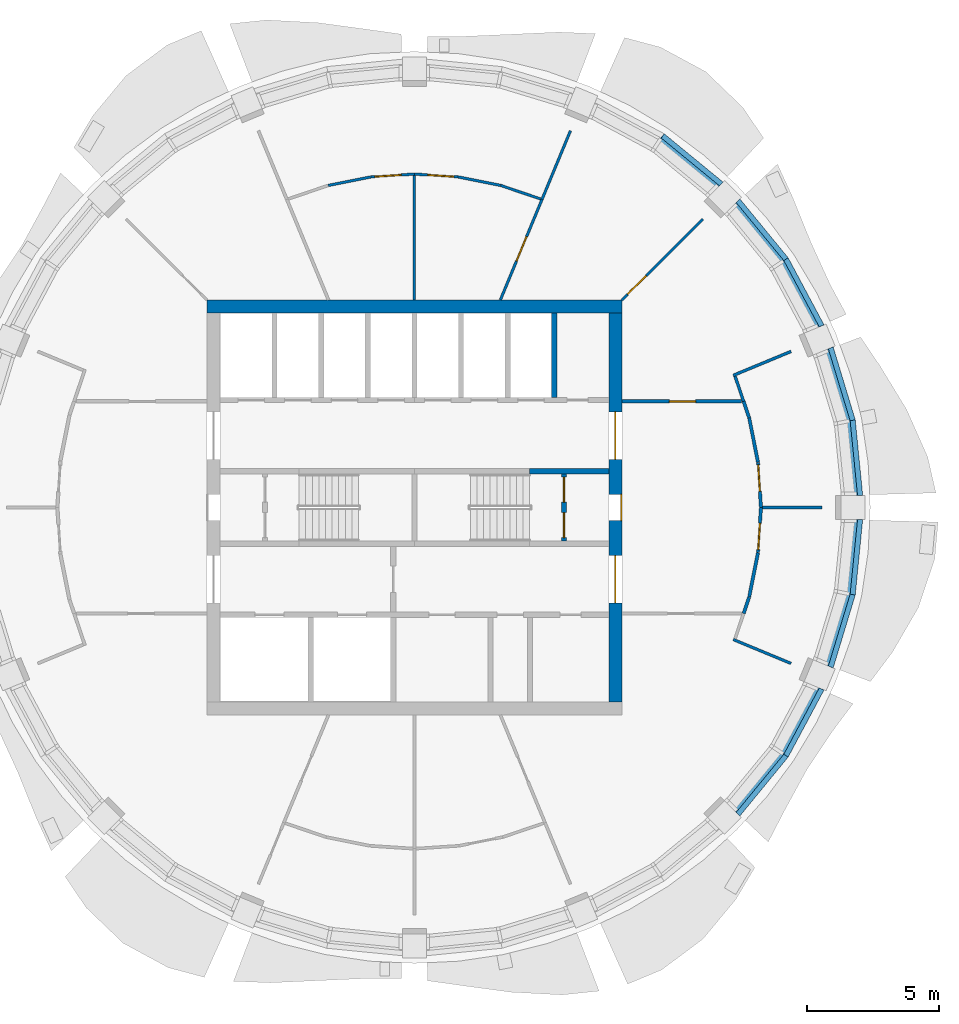
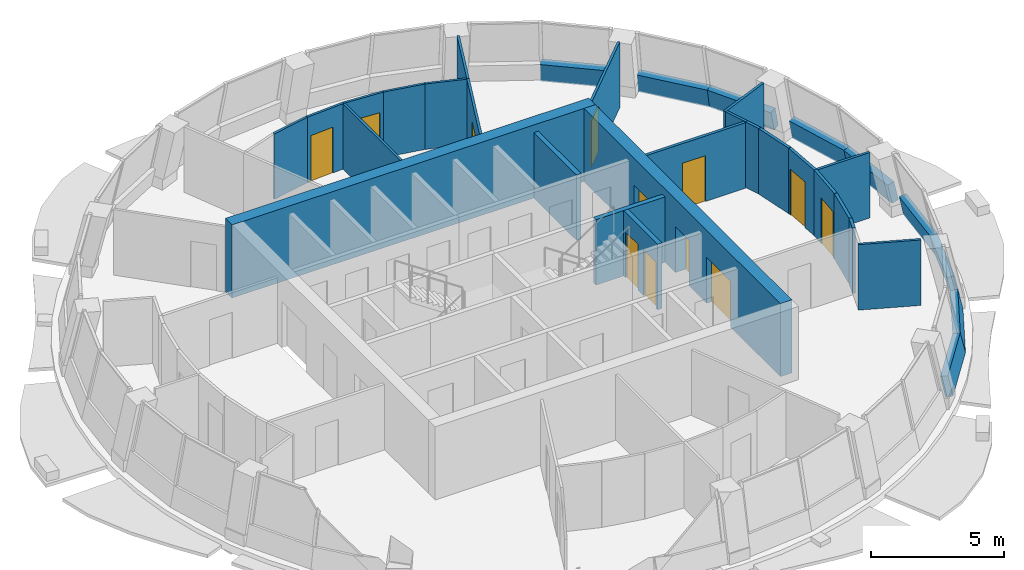
# One storey, part 6 of 11: 34 walls, 12 doors, 12 openings.
"""IFC4 building model written with IfcOpenShell, lengths in metres."""

from ifc_helpers import new_model, si_unit, direction, frame, frame_2d, origin, place, context, subcontext, project, spatial, polyline, rectangle, outline, extrude, material, layer, layer_set, type_object, element, fill, save


model = new_model("IFC4")

# Units and contexts
model_context = context("Model", 3, precision=1e-05, world=origin(), true_north=direction((0.0, 1.0)))
body_context = subcontext(model_context, "Body", "Model", "MODEL_VIEW")
ifc_project = project(units=[si_unit("LENGTHUNIT", "METRE"), si_unit("AREAUNIT", "SQUARE_METRE"), si_unit("VOLUMEUNIT", "CUBIC_METRE"), si_unit("PLANEANGLEUNIT", "RADIAN"), si_unit("MASSUNIT", "GRAM", prefix="KILO")], contexts=[model_context])

# Site, building, storey
site_placement = place(None, origin())
site = spatial("IfcSite", under=ifc_project, at=site_placement, CompositionType="ELEMENT")
building_placement = place(site_placement, origin())
building = spatial("IfcBuilding", under=site, at=building_placement, Name="Polderwave Tower", CompositionType="ELEMENT")
storey_placement = place(building_placement, frame((0.0, 0.0, 204.39990234375)))
storey = spatial("IfcBuildingStorey", under=building, at=storey_placement, Name="L55", CompositionType="ELEMENT", Elevation=204.39990234375)

# Wall
ifc_material_1 = material(Name="Concrete C60/75", Category="concrete")
ifc_layer_1 = layer(ifc_material_1, 0.5)
ifc_layer_set_1 = layer_set([ifc_layer_1], Name="CORE WALL 500 C60/75")
wall_type_1 = type_object("IfcWallType", Name="CORE WALL 500 C60/75", PredefinedType="SHEAR", material=ifc_layer_set_1)
wall_1_placement = place(storey_placement, frame((-7.8740234375, 7.6240234375, 0.0), z_axis=(0.0, 0.0, 1.0), x_axis=(1.0, 0.0, 0.0)))
element("IfcWall", 1, at=wall_1_placement, inside=storey, type_object=wall_type_1, Name="ST-CORE-L55-N", PredefinedType="SHEAR", context=body_context, shape_type="SweptSolid", body=[
    extrude(rectangle(XDim=15.748046875, YDim=0.5, at=frame_2d((7.8740234375, 0.0))), origin(), (0.0, 0.0, 1.0), 3.35009765625),
])

# Wall, openings, doors
wall_2_placement = place(storey_placement, frame((7.6240234375, -7.3740234375, 0.0), z_axis=(0.0, 0.0, 1.0), x_axis=(0.0, 1.0, 0.0)))
wall_2 = element("IfcWall", 2, at=wall_2_placement, inside=storey, type_object=wall_type_1, Name="ST-CORE-L55-E", PredefinedType="SHEAR", context=body_context, shape_type="SweptSolid", body=[
    extrude(rectangle(XDim=14.748046875, YDim=0.5, at=frame_2d((7.3740234375, 0.0))), origin(), (0.0, 0.0, 1.0), 3.35009765625),
])
opening_1_placement = place(wall_2_placement, frame((6.8740234375, 0.0, 0.0)))
opening_1 = element("IfcOpeningElement", 3, at=opening_1_placement, cuts=wall_2, Name="Opening L55-D22", PredefinedType="OPENING", context=body_context, shape_type="SweptSolid", body=[
    extrude(rectangle(XDim=1.0, YDim=2.10009765625, at=frame_2d((0.5, 1.050048828125))), frame((0.0, 0.260009765625, 0.0), z_axis=(0.0, -1.0, 0.0), x_axis=(1.0, 0.0, 0.0)), (0.0, 0.0, 1.0), 0.52001953125),
])
opening_2_placement = place(wall_2_placement, frame((3.74951171875, 0.0, 0.0)))
opening_2 = element("IfcOpeningElement", 4, at=opening_2_placement, cuts=wall_2, Name="Opening L55-D23", PredefinedType="OPENING", context=body_context, shape_type="SweptSolid", body=[
    extrude(rectangle(XDim=1.800048828125, YDim=2.10009765625, at=frame_2d((0.89990234375, 1.050048828125))), frame((0.0, 0.260009765625, 0.0), z_axis=(0.0, -1.0, 0.0), x_axis=(1.0, 0.0, 0.0)), (0.0, 0.0, 1.0), 0.52001953125),
])
opening_3_placement = place(wall_2_placement, frame((9.198486328125, 0.0, 0.0)))
opening_3 = element("IfcOpeningElement", 5, at=opening_3_placement, cuts=wall_2, Name="Opening L55-D24", PredefinedType="OPENING", context=body_context, shape_type="SweptSolid", body=[
    extrude(rectangle(XDim=1.800048828125, YDim=2.10009765625, at=frame_2d((0.89990234375, 1.050048828125))), frame((0.0, 0.260009765625, 0.0), z_axis=(0.0, -1.0, 0.0), x_axis=(1.0, 0.0, 0.0)), (0.0, 0.0, 1.0), 0.52001953125),
])
ifc_material_2 = material(Name="Steel fire door", Category="steel")
door_type_1 = type_object("IfcDoorType", Name="Lobby entry door pair 1800", OperationType="DOUBLE_DOOR_SINGLE_SWING", PredefinedType="DOOR", material=ifc_material_2)
door_1_placement = place(opening_2_placement, frame((1.800048828125, 0.0, 0.0), z_axis=(0.0, 0.0, 1.0), x_axis=(-1.0, 0.0, 0.0)))
door_1 = element("IfcDoor", 6, at=door_1_placement, inside=storey, type_object=door_type_1, Name="South lobby entry door", OperationType="DOUBLE_DOOR_SINGLE_SWING", OverallHeight=2.10009765625, OverallWidth=1.800048828125, PredefinedType="DOOR", context=body_context, shape_type="SweptSolid", body=[
    extrude(rectangle(XDim=1.800048828125, YDim=2.10009765625, at=frame_2d((0.89990234375, 1.050048828125))), frame((0.0, 0.02490234375, 0.0), z_axis=(0.0, -1.0, 0.0), x_axis=(1.0, 0.0, 0.0)), (0.0, 0.0, 1.0), 0.050048828125),
])
fill(opening_2, door_1)
door_2_placement = place(opening_3_placement, frame((1.800048828125, 0.0, 0.0), z_axis=(0.0, 0.0, 1.0), x_axis=(-1.0, 0.0, 0.0)))
door_2 = element("IfcDoor", 7, at=door_2_placement, inside=storey, type_object=door_type_1, Name="North lobby entry door", OperationType="DOUBLE_DOOR_SINGLE_SWING", OverallHeight=2.10009765625, OverallWidth=1.800048828125, PredefinedType="DOOR", context=body_context, shape_type="SweptSolid", body=[
    extrude(rectangle(XDim=1.800048828125, YDim=2.10009765625, at=frame_2d((0.89990234375, 1.050048828125))), frame((0.0, 0.02490234375, 0.0), z_axis=(0.0, -1.0, 0.0), x_axis=(1.0, 0.0, 0.0)), (0.0, 0.0, 1.0), 0.050048828125),
])
fill(opening_3, door_2)
door_type_2 = type_object("IfcDoorType", Name="Stair door 1000", OperationType="NOTDEFINED", PredefinedType="DOOR", material=ifc_material_2)
door_3_placement = place(opening_1_placement, frame((1.0, 0.0, 0.0), z_axis=(0.0, 0.0, 1.0), x_axis=(-1.0, 0.0, 0.0)))
door_3 = element("IfcDoor", 8, at=door_3_placement, inside=storey, type_object=door_type_2, Name="Stair B entry door", OperationType="SINGLE_SWING_LEFT", OverallHeight=2.10009765625, OverallWidth=1.0, PredefinedType="DOOR", context=body_context, shape_type="SweptSolid", body=[
    extrude(rectangle(XDim=1.0, YDim=2.10009765625, at=frame_2d((0.5, 1.050048828125))), frame((0.0, 0.25, 0.0), z_axis=(0.0, -1.0, 0.0), x_axis=(1.0, 0.0, 0.0)), (0.0, 0.0, 1.0), 0.050048828125),
])
fill(opening_1, door_3)

# Walls
ifc_material_3 = material(Name="Concrete C50/60 (board-marked)", Category="concrete")
ifc_layer_2 = layer(ifc_material_3, 0.300048828125)
ifc_layer_set_2 = layer_set([ifc_layer_2], Name="Concrete spandrel upstand C50/60")
wall_type_2 = type_object("IfcWallType", Name="Concrete spandrel upstand C50/60", PredefinedType="SOLIDWALL", material=ifc_layer_set_2)
wall_3_placement = place(storey_placement, frame((17.010986328125, 0.45263671875, 0.0), z_axis=(0.97248307566, 0.096030261393, 0.212261292872), x_axis=(-0.098270470922, 0.99515974322, 4.332109e-06)))
element("IfcWall", 9, at=wall_3_placement, inside=storey, type_object=wall_type_2, Name="Spandrel L55 1a", PredefinedType="SOLIDWALL", context=body_context, shape_type="SweptSolid", body=[
    extrude(outline(polyline([(0.0, 0.0), (2.8887437827391578, -6.938893903907228e-18), (2.86953267296287, 0.9211237490571841), (0.019317309955234726, 0.9211491905893285), (0.0, 0.0)])), origin(), (0.0, 0.0, -1.0), 0.300048828125),
])
wall_4_placement = place(storey_placement, frame((16.72705078125, 3.327392578125, 0.0), z_axis=(0.935242697182, 0.28337916088, 0.212172921331), x_axis=(-0.289981848011, 0.957032145656, 2.070465e-06)))
element("IfcWall", 10, at=wall_4_placement, inside=storey, type_object=wall_type_2, Name="Spandrel L55 1b", PredefinedType="SOLIDWALL", context=body_context, shape_type="SweptSolid", body=[
    extrude(outline(polyline([(0.0, 0.0), (2.888526051219243, 0.0), (2.869165271437796, 0.9211123016820382), (0.019177066654742992, 0.9211244598923397), (0.0, 0.0)])), origin(), (0.0, 0.0, -1.0), 0.300048828125),
])
wall_5_placement = place(storey_placement, frame((15.542236328125, 6.927734375, 0.0), z_axis=(0.86194406833, 0.460490666642, 0.212133846912), x_axis=(-0.471214057348, 0.88201888422, -6.139239e-06)))
element("IfcWall", 11, at=wall_5_placement, inside=storey, type_object=wall_type_2, Name="Spandrel L55 2a", PredefinedType="SOLIDWALL", context=body_context, shape_type="SweptSolid", body=[
    extrude(outline(polyline([(0.0, 0.0), (2.8886150989820782, 0.0), (2.8693175227477177, 0.9211284105833573), (0.019362698188122602, 0.9210923596317686), (0.0, 0.0)])), origin(), (0.0, 0.0, -1.0), 0.300048828125),
])
wall_6_placement = place(storey_placement, frame((14.18115234375, 9.4755859375, 0.0), z_axis=(0.755401474704, 0.619877353438, 0.212416286358), x_axis=(-0.634353847381, 0.77304281661, 4.54494e-07)))
element("IfcWall", 12, at=wall_6_placement, inside=storey, type_object=wall_type_2, Name="Spandrel L55 2b", PredefinedType="SOLIDWALL", context=body_context, shape_type="SweptSolid", body=[
    extrude(outline(polyline([(0.0, 0.0), (2.888789702630808, 5.551115123125783e-17), (2.86933526156926, 0.9211668830901925), (0.0194015171973738, 0.9211695522174551), (0.0, 0.0)])), origin(), (0.0, 0.0, -1.0), 0.300048828125),
])
for number, where, z_axis, x_axis, name in (
    (13, (11.708740234375, 12.3486328125, 0.0), (0.619877353438, 0.755401474704, 0.212416286358), (-0.77304281661, 0.634353847381, -4.54494e-07), "Spandrel L55 3a"),
    (14, (12.3486328125, -11.708740234375, 0.0), (0.755401474704, -0.619877353438, 0.212416286358), (0.634353847381, 0.77304281661, -4.54494e-07), "Spandrel L55 15a"),
):
    element("IfcWall", number, at=place(storey_placement, frame(where, z_axis=z_axis, x_axis=x_axis)), inside=storey, type_object=wall_type_2, Name=name, PredefinedType="SOLIDWALL", context=body_context, shape_type="SweptSolid", body=[
        extrude(outline(polyline([(0.0, 0.0), (2.888789702630808, -5.551115123125783e-17), (2.869388185433434, 0.921169552217455), (0.01945444106154769, 0.9211668830901925), (0.0, 0.0)])), origin(), (0.0, 0.0, -1.0), 0.300048828125),
    ])
wall_7_placement = place(storey_placement, frame((14.18115234375, -9.4755859375, 0.0), z_axis=(0.861898085138, -0.460433644275, 0.212444228104), x_axis=(0.471189380725, 0.882032067156, 6.6202e-08)))
element("IfcWall", 15, at=wall_7_placement, inside=storey, type_object=wall_type_2, Name="Spandrel L55 15b", PredefinedType="SOLIDWALL", context=body_context, shape_type="SweptSolid", body=[
    extrude(outline(polyline([(0.0, 0.0), (2.888615100191614, 5.551115123125783e-17), (2.869352703083372, 0.9209239056599307), (0.019182542241019847, 0.9211741382130918), (0.0, 0.0)])), origin(), (0.0, 0.0, -1.0), 0.300048828125),
])
wall_8_placement = place(storey_placement, frame((15.889404296875, -6.091796875, 0.0), z_axis=(0.935152492223, -0.28338395091, 0.212563761391), x_axis=(0.29001059817, 0.957023433845, 4.460531e-06)))
element("IfcWall", 16, at=wall_8_placement, inside=storey, type_object=wall_type_2, Name="Spandrel L55 16a", PredefinedType="SOLIDWALL", context=body_context, shape_type="SweptSolid", body=[
    extrude(outline(polyline([(0.0, 0.0), (2.8885260507207984, 0.0), (2.869278186481872, 0.9209355015571417), (0.019219181632370762, 0.9212115477480832), (0.0, 0.0)])), origin(), (0.0, 0.0, -1.0), 0.300048828125),
])
wall_9_placement = place(storey_placement, frame((16.72705078125, -3.327392578125, 0.0), z_axis=(0.972506225061, -0.09607411987, 0.212135347619), x_axis=(0.098310703755, 0.995155769469, 4.446659e-06)))
element("IfcWall", 17, at=wall_9_placement, inside=storey, type_object=wall_type_2, Name="Spandrel L55 16b", PredefinedType="SOLIDWALL", context=body_context, shape_type="SweptSolid", body=[
    extrude(outline(polyline([(0.0, 0.0), (2.888743782706167, 6.938893903907228e-18), (2.8694504694765173, 0.9210976353176993), (0.019211109710525674, 0.9211237489550932), (0.0, 0.0)])), origin(), (0.0, 0.0, -1.0), 0.300048828125),
])

# Wall, openings, doors
ifc_material_4 = material(Name="Gypsum board partition")
ifc_layer_3 = layer(ifc_material_4, 0.199951171875)
ifc_layer_set_3 = layer_set([ifc_layer_3], Name="Core room partition 200")
wall_type_3 = type_object("IfcWallType", Name="Core room partition 200", PredefinedType="PARTITIONING", material=ifc_layer_set_3)
wall_10_placement = place(storey_placement, frame((5.674072265625, -1.27490234375, 0.0), z_axis=(0.0, 0.0, 1.0), x_axis=(0.0, 1.0, 0.0)))
wall_10 = element("IfcWall", 18, at=wall_10_placement, inside=storey, type_object=wall_type_3, Name="L55 smoke lobby wall B", PredefinedType="PARTITIONING", context=body_context, shape_type="SweptSolid", body=[
    extrude(rectangle(XDim=2.5498046875, YDim=0.199951171875, at=frame_2d((1.27490234375, 0.0))), origin(), (0.0, 0.0, 1.0), 3.0),
])
opening_4_placement = place(wall_10_placement, frame((0.125, 0.0, 0.0)))
opening_4 = element("IfcOpeningElement", 19, at=opening_4_placement, cuts=wall_10, Name="Opening L55-D12", PredefinedType="OPENING", context=body_context, shape_type="SweptSolid", body=[
    extrude(rectangle(XDim=0.949951171875, YDim=2.10009765625, at=frame_2d((0.47509765625, 1.050048828125))), frame((0.0, 0.10986328125, 0.0), z_axis=(0.0, -1.0, 0.0), x_axis=(1.0, 0.0, 0.0)), (0.0, 0.0, 1.0), 0.219970703125),
])
opening_5_placement = place(wall_10_placement, frame((1.47509765625, 0.0, 0.0)))
opening_5 = element("IfcOpeningElement", 20, at=opening_5_placement, cuts=wall_10, Name="Opening L55-D13", PredefinedType="OPENING", context=body_context, shape_type="SweptSolid", body=[
    extrude(rectangle(XDim=0.949951171875, YDim=2.10009765625, at=frame_2d((0.47509765625, 1.050048828125))), frame((0.0, 0.10986328125, 0.0), z_axis=(0.0, -1.0, 0.0), x_axis=(1.0, 0.0, 0.0)), (0.0, 0.0, 1.0), 0.219970703125),
])
door_type_3 = type_object("IfcDoorType", Name="Smoke lobby door 950", OperationType="NOTDEFINED", PredefinedType="DOOR", material=ifc_material_2)
door_4_placement = place(opening_4_placement, frame((0.949951171875, 0.0, 0.0), z_axis=(0.0, 0.0, 1.0), x_axis=(-1.0, 0.0, 0.0)))
door_4 = element("IfcDoor", 21, at=door_4_placement, inside=storey, type_object=door_type_3, Name="Stair B smoke lobby inner door", OperationType="SINGLE_SWING_RIGHT", OverallHeight=2.10009765625, OverallWidth=0.949951171875, PredefinedType="DOOR", context=body_context, shape_type="SweptSolid", body=[
    extrude(rectangle(XDim=0.949951171875, YDim=2.10009765625, at=frame_2d((0.47509765625, 1.050048828125))), frame((0.0, 0.02490234375, 0.0), z_axis=(0.0, -1.0, 0.0), x_axis=(1.0, 0.0, 0.0)), (0.0, 0.0, 1.0), 0.050048828125),
])
fill(opening_4, door_4)
door_5_placement = place(opening_5_placement, frame((0.949951171875, 0.0, 0.0), z_axis=(0.0, 0.0, 1.0), x_axis=(-1.0, 0.0, 0.0)))
door_5 = element("IfcDoor", 22, at=door_5_placement, inside=storey, type_object=door_type_3, Name="Stair B smoke lobby inner door", OperationType="SINGLE_SWING_LEFT", OverallHeight=2.10009765625, OverallWidth=0.949951171875, PredefinedType="DOOR", context=body_context, shape_type="SweptSolid", body=[
    extrude(rectangle(XDim=0.949951171875, YDim=2.10009765625, at=frame_2d((0.47509765625, 1.050048828125))), frame((0.0, 0.02490234375, 0.0), z_axis=(0.0, -1.0, 0.0), x_axis=(1.0, 0.0, 0.0)), (0.0, 0.0, 1.0), 0.050048828125),
])
fill(opening_5, door_5)

# Walls
ifc_material_5 = material(Name="Concrete C50/60", Category="concrete")
ifc_layer_4 = layer(ifc_material_5, 0.199951171875)
ifc_layer_set_4 = layer_set([ifc_layer_4], Name="Core web wall 200")
wall_type_4 = type_object("IfcWallType", Name="Core web wall 200", PredefinedType="SHEAR", material=ifc_layer_set_4)
wall_11_placement = place(storey_placement, frame((4.3740234375, 1.375, 0.0), z_axis=(0.0, 0.0, 1.0), x_axis=(1.0, 0.0, 0.0)))
element("IfcWall", 23, at=wall_11_placement, inside=storey, type_object=wall_type_4, Name="L55 north stair wall 4", PredefinedType="SHEAR", context=body_context, shape_type="SweptSolid", body=[
    extrude(rectangle(XDim=3.0, YDim=0.199951171875, at=frame_2d((1.5, 0.0))), origin(), (0.0, 0.0, 1.0), 3.0),
])
ifc_material_6 = material(Name="Fire-resisting board on steel studs", Category="steel")
ifc_layer_5 = layer(ifc_material_6, 0.125)
ifc_layer_set_5 = layer_set([ifc_layer_5], Name="Corridor wall 125 mm EI 60")
wall_type_5 = type_object("IfcWallType", Name="Corridor wall 125 mm EI 60", PredefinedType="PARTITIONING", material=ifc_layer_set_5)
wall_12_placement = place(storey_placement, frame((12.4912109375, 4.0244140625, 0.0), z_axis=(0.0, 0.0, 1.0), x_axis=(0.321506357846, -0.946907419902, 0.0)))
element("IfcWall", 24, at=wall_12_placement, inside=storey, type_object=wall_type_5, Name="IN-L55-W001", PredefinedType="PARTITIONING", context=body_context, shape_type="SweptSolid", body=[
    extrude(rectangle(XDim=0.651611328125, YDim=0.125, at=frame_2d((0.32568359375, 0.0))), origin(), (0.0, 0.0, 1.0), 3.0),
])
wall_13_placement = place(storey_placement, frame((12.70263671875, 3.3994140625, 0.0), z_axis=(0.0, 0.0, 1.0), x_axis=(0.195101249107, -0.980783106806, 0.0)))
element("IfcWall", 25, at=wall_13_placement, inside=storey, type_object=wall_type_5, Name="IN-L55-W002", PredefinedType="PARTITIONING", context=body_context, shape_type="SweptSolid", body=[
    extrude(rectangle(XDim=1.7119140625, YDim=0.125, at=frame_2d((0.85595703125, 0.0))), origin(), (0.0, 0.0, 1.0), 3.0),
])

# Wall, opening, door
wall_14_placement = place(storey_placement, frame((13.037841796875, 1.71240234375, 0.0), z_axis=(0.0, 0.0, 1.0), x_axis=(0.065300872496, -0.997865620237, 0.0)))
wall_14 = element("IfcWall", 26, at=wall_14_placement, inside=storey, type_object=wall_type_5, Name="IN-L55-W003", PredefinedType="PARTITIONING", context=body_context, shape_type="SweptSolid", body=[
    extrude(rectangle(XDim=1.716064453125, YDim=0.125, at=frame_2d((0.85791015625, 0.0))), origin(), (0.0, 0.0, 1.0), 3.0),
])
opening_6_placement = place(wall_14_placement, frame((0.10009765625, 0.0, 0.0)))
opening_6 = element("IfcOpeningElement", 27, at=opening_6_placement, cuts=wall_14, Name="Opening L55-D50", PredefinedType="OPENING", context=body_context, shape_type="SweptSolid", body=[
    extrude(rectangle(XDim=1.0, YDim=2.10009765625, at=frame_2d((0.5, 1.050048828125))), frame((0.0, 0.072509765625, 0.0), z_axis=(0.0, -1.0, 0.0), x_axis=(1.0, 0.0, 0.0)), (0.0, 0.0, 1.0), 0.14501953125),
])
ifc_material_7 = material(Name="Timber fire door leaf", Category="wood")
door_type_4 = type_object("IfcDoorType", Name="Fire door FD30S 1000 x 2100", OperationType="NOTDEFINED", PredefinedType="DOOR", material=ifc_material_7)
door_6_placement = place(opening_6_placement, origin())
door_6 = element("IfcDoor", 28, at=door_6_placement, inside=storey, type_object=door_type_4, Name="Door L55-D50", OperationType="SINGLE_SWING_LEFT", OverallHeight=2.10009765625, OverallWidth=1.0, PredefinedType="DOOR", context=body_context, shape_type="SweptSolid", body=[
    extrude(rectangle(XDim=1.0, YDim=2.10009765625, at=frame_2d((0.5, 1.050048828125))), frame((0.0, 0.02490234375, 0.0), z_axis=(0.0, -1.0, 0.0), x_axis=(1.0, 0.0, 0.0)), (0.0, 0.0, 1.0), 0.050048828125),
])
fill(opening_6, door_6)

wall_15_placement = place(storey_placement, frame((7.8740234375, 4.0244140625, 0.0), z_axis=(0.0, 0.0, 1.0), x_axis=(1.0, 0.0, 0.0)))
wall_15 = element("IfcWall", 29, at=wall_15_placement, inside=storey, type_object=wall_type_5, Name="IN-L55-W004", PredefinedType="PARTITIONING", context=body_context, shape_type="SweptSolid", body=[
    extrude(rectangle(XDim=4.52978515625, YDim=0.125, at=frame_2d((2.264892578125, 0.0))), origin(), (0.0, 0.0, 1.0), 3.0),
])
opening_7_placement = place(wall_15_placement, frame((1.800048828125, 0.0, 0.0)))
opening_7 = element("IfcOpeningElement", 30, at=opening_7_placement, cuts=wall_15, Name="Opening L55-D51", PredefinedType="OPENING", context=body_context, shape_type="SweptSolid", body=[
    extrude(rectangle(XDim=1.0, YDim=2.10009765625, at=frame_2d((0.5, 1.050048828125))), frame((0.0, 0.072509765625, 0.0), z_axis=(0.0, -1.0, 0.0), x_axis=(1.0, 0.0, 0.0)), (0.0, 0.0, 1.0), 0.14501953125),
])
door_7_placement = place(opening_7_placement, origin())
door_7 = element("IfcDoor", 31, at=door_7_placement, inside=storey, type_object=door_type_4, Name="Door L55-D51", OperationType="SINGLE_SWING_RIGHT", OverallHeight=2.10009765625, OverallWidth=1.0, PredefinedType="DOOR", context=body_context, shape_type="SweptSolid", body=[
    extrude(rectangle(XDim=1.0, YDim=2.10009765625, at=frame_2d((0.5, 1.050048828125))), frame((0.0, 0.02490234375, 0.0), z_axis=(0.0, -1.0, 0.0), x_axis=(1.0, 0.0, 0.0)), (0.0, 0.0, 1.0), 0.050048828125),
])
fill(opening_7, door_7)

# Walls
wall_16_placement = place(storey_placement, frame((12.70068359375, -3.407470703125, 0.0), z_axis=(0.0, 0.0, 1.0), x_axis=(-0.321506357846, -0.946907419902, 0.0)))
element("IfcWall", 32, at=wall_16_placement, inside=storey, type_object=wall_type_5, Name="IN-L55-W006", PredefinedType="PARTITIONING", context=body_context, shape_type="SweptSolid", body=[
    extrude(rectangle(XDim=0.651611328125, YDim=0.125, at=frame_2d((0.32568359375, 0.0))), origin(), (0.0, 0.0, 1.0), 3.0),
])
wall_17_placement = place(storey_placement, frame((13.03662109375, -1.720458984375, 0.0), z_axis=(0.0, 0.0, 1.0), x_axis=(-0.195101249107, -0.980783106806, 0.0)))
element("IfcWall", 33, at=wall_17_placement, inside=storey, type_object=wall_type_5, Name="IN-L55-W007", PredefinedType="PARTITIONING", context=body_context, shape_type="SweptSolid", body=[
    extrude(rectangle(XDim=1.7119140625, YDim=0.125, at=frame_2d((0.85595703125, 0.0))), origin(), (0.0, 0.0, 1.0), 3.0),
])

# Wall, opening, door
wall_18_placement = place(storey_placement, frame((13.14990234375, 0.0, 0.0), z_axis=(0.0, 0.0, 1.0), x_axis=(-0.065300872496, -0.997865620237, 0.0)))
wall_18 = element("IfcWall", 34, at=wall_18_placement, inside=storey, type_object=wall_type_5, Name="IN-L55-W008", PredefinedType="PARTITIONING", context=body_context, shape_type="SweptSolid", body=[
    extrude(rectangle(XDim=1.716064453125, YDim=0.125, at=frame_2d((0.85791015625, 0.0))), origin(), (0.0, 0.0, 1.0), 3.0),
])
opening_8_placement = place(wall_18_placement, frame((0.60009765625, 0.0, 0.0)))
opening_8 = element("IfcOpeningElement", 35, at=opening_8_placement, cuts=wall_18, Name="Opening L55-D53", PredefinedType="OPENING", context=body_context, shape_type="SweptSolid", body=[
    extrude(rectangle(XDim=1.0, YDim=2.10009765625, at=frame_2d((0.5, 1.050048828125))), frame((0.0, 0.072509765625, 0.0), z_axis=(0.0, -1.0, 0.0), x_axis=(1.0, 0.0, 0.0)), (0.0, 0.0, 1.0), 0.14501953125),
])
door_8_placement = place(opening_8_placement, origin())
door_8 = element("IfcDoor", 36, at=door_8_placement, inside=storey, type_object=door_type_4, Name="Door L55-D53", OperationType="SINGLE_SWING_RIGHT", OverallHeight=2.10009765625, OverallWidth=1.0, PredefinedType="DOOR", context=body_context, shape_type="SweptSolid", body=[
    extrude(rectangle(XDim=1.0, YDim=2.10009765625, at=frame_2d((0.5, 1.050048828125))), frame((0.0, 0.02490234375, 0.0), z_axis=(0.0, -1.0, 0.0), x_axis=(1.0, 0.0, 0.0)), (0.0, 0.0, 1.0), 0.050048828125),
])
fill(opening_8, door_8)

ifc_material_8 = material(Name="Plasterboard on steel studs", Category="steel")
ifc_layer_6 = layer(ifc_material_8, 0.10009765625)
ifc_layer_set_6 = layer_set([ifc_layer_6], Name="Partition 100 mm plasterboard on steel studs")
wall_type_6 = type_object("IfcWallType", Name="Partition 100 mm plasterboard on steel studs", PredefinedType="PARTITIONING", material=ifc_layer_set_6)
wall_19_placement = place(storey_placement, frame((7.8740234375, 7.8740234375, 0.0), z_axis=(0.0, 0.0, 1.0), x_axis=(0.707106781187, 0.707106781187, 0.0)))
wall_19 = element("IfcWall", 37, at=wall_19_placement, inside=storey, type_object=wall_type_6, Name="IN-L55-W020", PredefinedType="PARTITIONING", context=body_context, shape_type="SweptSolid", body=[
    extrude(rectangle(XDim=4.33447265625, YDim=0.10009765625, at=frame_2d((2.167236328125, 0.0))), origin(), (0.0, 0.0, 1.0), 3.0),
])
opening_9_placement = place(wall_19_placement, frame((0.300048828125, 0.0, 0.0)))
opening_9 = element("IfcOpeningElement", 38, at=opening_9_placement, cuts=wall_19, Name="Opening L55-D58", PredefinedType="OPENING", context=body_context, shape_type="SweptSolid", body=[
    extrude(rectangle(XDim=1.0, YDim=2.10009765625, at=frame_2d((0.5, 1.050048828125))), frame((0.0, 0.06005859375, 0.0), z_axis=(0.0, -1.0, 0.0), x_axis=(1.0, 0.0, 0.0)), (0.0, 0.0, 1.0), 0.1201171875),
])
ifc_material_9 = material(Name="Timber veneer door leaf", Category="wood")
door_type_5 = type_object("IfcDoorType", Name="Single door 1000 x 2100", OperationType="NOTDEFINED", PredefinedType="DOOR", material=ifc_material_9)
door_9_placement = place(opening_9_placement, origin())
door_9 = element("IfcDoor", 39, at=door_9_placement, inside=storey, type_object=door_type_5, Name="Door L55-D58", OperationType="SINGLE_SWING_LEFT", OverallHeight=2.10009765625, OverallWidth=1.0, PredefinedType="DOOR", context=body_context, shape_type="SweptSolid", body=[
    extrude(rectangle(XDim=1.0, YDim=2.10009765625, at=frame_2d((0.5, 1.050048828125))), frame((0.0, 0.02490234375, 0.0), z_axis=(0.0, -1.0, 0.0), x_axis=(1.0, 0.0, 0.0)), (0.0, 0.0, 1.0), 0.050048828125),
])
fill(opening_9, door_9)

wall_20_placement = place(storey_placement, frame((3.261474609375, 7.8740234375, 0.0), z_axis=(0.0, 0.0, 1.0), x_axis=(0.382673969281, 0.923883452192, 0.0)))
wall_20 = element("IfcWall", 40, at=wall_20_placement, inside=storey, type_object=wall_type_6, Name="IN-L55-W021", PredefinedType="PARTITIONING", context=body_context, shape_type="SweptSolid", body=[
    extrude(rectangle(XDim=4.127197265625, YDim=0.10009765625, at=frame_2d((2.0634765625, 0.0))), origin(), (0.0, 0.0, 1.0), 3.0),
])
opening_10_placement = place(wall_20_placement, frame((1.60009765625, 0.0, 0.0)))
opening_10 = element("IfcOpeningElement", 41, at=opening_10_placement, cuts=wall_20, Name="Opening L55-D59", PredefinedType="OPENING", context=body_context, shape_type="SweptSolid", body=[
    extrude(rectangle(XDim=1.0, YDim=2.10009765625, at=frame_2d((0.5, 1.050048828125))), frame((0.0, 0.06005859375, 0.0), z_axis=(0.0, -1.0, 0.0), x_axis=(1.0, 0.0, 0.0)), (0.0, 0.0, 1.0), 0.1201171875),
])
door_10_placement = place(opening_10_placement, origin())
door_10 = element("IfcDoor", 42, at=door_10_placement, inside=storey, type_object=door_type_5, Name="Door L55-D59", OperationType="SINGLE_SWING_RIGHT", OverallHeight=2.10009765625, OverallWidth=1.0, PredefinedType="DOOR", context=body_context, shape_type="SweptSolid", body=[
    extrude(rectangle(XDim=1.0, YDim=2.10009765625, at=frame_2d((0.5, 1.050048828125))), frame((0.0, 0.02490234375, 0.0), z_axis=(0.0, -1.0, 0.0), x_axis=(1.0, 0.0, 0.0)), (0.0, 0.0, 1.0), 0.050048828125),
])
fill(opening_10, door_10)

# Wall
wall_21_placement = place(storey_placement, frame((4.8408203125, 11.68701171875, 0.0), z_axis=(0.0, 0.0, 1.0), x_axis=(0.382721328069, 0.923863834686, 0.0)))
element("IfcWall", 43, at=wall_21_placement, inside=storey, type_object=wall_type_6, Name="IN-L55-W022", PredefinedType="PARTITIONING", context=body_context, shape_type="SweptSolid", body=[
    extrude(rectangle(XDim=2.820068359375, YDim=0.10009765625, at=frame_2d((1.41015625, 0.0))), origin(), (0.0, 0.0, 1.0), 3.0),
])

# Wall, opening, door
wall_22_placement = place(storey_placement, frame((0.0, 12.64990234375, 0.0), z_axis=(0.0, 0.0, 1.0), x_axis=(0.997862957787, -0.065341544791, 0.0)))
wall_22 = element("IfcWall", 44, at=wall_22_placement, inside=storey, type_object=wall_type_6, Name="IN-L55-W023", PredefinedType="PARTITIONING", context=body_context, shape_type="SweptSolid", body=[
    extrude(rectangle(XDim=1.6513671875, YDim=0.10009765625, at=frame_2d((0.82568359375, 0.0))), origin(), (0.0, 0.0, 1.0), 3.0),
])
opening_11_placement = place(wall_22_placement, frame((0.5, 0.0, 0.0)))
opening_11 = element("IfcOpeningElement", 45, at=opening_11_placement, cuts=wall_22, Name="Opening L55-D60", PredefinedType="OPENING", context=body_context, shape_type="SweptSolid", body=[
    extrude(rectangle(XDim=1.0, YDim=2.10009765625, at=frame_2d((0.5, 1.050048828125))), frame((0.0, 0.06005859375, 0.0), z_axis=(0.0, -1.0, 0.0), x_axis=(1.0, 0.0, 0.0)), (0.0, 0.0, 1.0), 0.1201171875),
])
door_11_placement = place(opening_11_placement, origin())
door_11 = element("IfcDoor", 46, at=door_11_placement, inside=storey, type_object=door_type_5, Name="Door L55-D60", OperationType="SINGLE_SWING_RIGHT", OverallHeight=2.10009765625, OverallWidth=1.0, PredefinedType="DOOR", context=body_context, shape_type="SweptSolid", body=[
    extrude(rectangle(XDim=1.0, YDim=2.10009765625, at=frame_2d((0.5, 1.050048828125))), frame((0.0, 0.02490234375, 0.0), z_axis=(0.0, -1.0, 0.0), x_axis=(1.0, 0.0, 0.0)), (0.0, 0.0, 1.0), 0.050048828125),
])
fill(opening_11, door_11)

# Walls
wall_23_placement = place(storey_placement, frame((1.654296875, 12.541259765625, 0.0), z_axis=(0.0, 0.0, 1.0), x_axis=(0.98076253728, -0.195204624605, 0.0)))
element("IfcWall", 47, at=wall_23_placement, inside=storey, type_object=wall_type_6, Name="IN-L55-W024", PredefinedType="PARTITIONING", context=body_context, shape_type="SweptSolid", body=[
    extrude(rectangle(XDim=1.6484375, YDim=0.10009765625, at=frame_2d((0.82421875, 0.0))), origin(), (0.0, 0.0, 1.0), 3.0),
])
wall_24_placement = place(storey_placement, frame((3.277099609375, 12.218017578125, 0.0), z_axis=(0.0, 0.0, 1.0), x_axis=(0.946927222845, -0.321448027891, 0.0)))
element("IfcWall", 48, at=wall_24_placement, inside=storey, type_object=wall_type_6, Name="IN-L55-W025", PredefinedType="PARTITIONING", context=body_context, shape_type="SweptSolid", body=[
    extrude(rectangle(XDim=1.597900390625, YDim=0.10009765625, at=frame_2d((0.798828125, 0.0))), origin(), (0.0, 0.0, 1.0), 3.0),
])
wall_25_placement = place(storey_placement, frame((0.0, 7.8740234375, 0.0), z_axis=(0.0, 0.0, 1.0), x_axis=(0.0, 1.0, 0.0)))
element("IfcWall", 49, at=wall_25_placement, inside=storey, type_object=wall_type_6, Name="IN-L55-W026", PredefinedType="PARTITIONING", context=body_context, shape_type="SweptSolid", body=[
    extrude(rectangle(XDim=4.72265625, YDim=0.10009765625, at=frame_2d((2.361328125, 0.0))), origin(), (0.0, 0.0, 1.0), 3.0),
])
wall_26_placement = place(storey_placement, frame((-1.654296875, 12.541259765625, 0.0), z_axis=(0.0, 0.0, 1.0), x_axis=(-0.98076253728, -0.195204624605, 0.0)))
element("IfcWall", 50, at=wall_26_placement, inside=storey, type_object=wall_type_6, Name="IN-L55-W028", PredefinedType="PARTITIONING", context=body_context, shape_type="SweptSolid", body=[
    extrude(rectangle(XDim=1.6484375, YDim=0.10009765625, at=frame_2d((0.82421875, 0.0))), origin(), (0.0, 0.0, 1.0), 3.0),
])

# Wall, opening, door
wall_27_placement = place(storey_placement, frame((0.0, 12.64990234375, 0.0), z_axis=(0.0, 0.0, 1.0), x_axis=(-0.997862957787, -0.065341544791, 0.0)))
wall_27 = element("IfcWall", 51, at=wall_27_placement, inside=storey, type_object=wall_type_6, Name="IN-L55-W029", PredefinedType="PARTITIONING", context=body_context, shape_type="SweptSolid", body=[
    extrude(rectangle(XDim=1.6513671875, YDim=0.10009765625, at=frame_2d((0.82568359375, 0.0))), origin(), (0.0, 0.0, 1.0), 3.0),
])
opening_12_placement = place(wall_27_placement, frame((0.5, 0.0, 0.0)))
opening_12 = element("IfcOpeningElement", 52, at=opening_12_placement, cuts=wall_27, Name="Opening L55-D61", PredefinedType="OPENING", context=body_context, shape_type="SweptSolid", body=[
    extrude(rectangle(XDim=1.0, YDim=2.10009765625, at=frame_2d((0.5, 1.050048828125))), frame((0.0, 0.06005859375, 0.0), z_axis=(0.0, -1.0, 0.0), x_axis=(1.0, 0.0, 0.0)), (0.0, 0.0, 1.0), 0.1201171875),
])
door_12_placement = place(opening_12_placement, origin())
door_12 = element("IfcDoor", 53, at=door_12_placement, inside=storey, type_object=door_type_5, Name="Door L55-D61", OperationType="SINGLE_SWING_RIGHT", OverallHeight=2.10009765625, OverallWidth=1.0, PredefinedType="DOOR", context=body_context, shape_type="SweptSolid", body=[
    extrude(rectangle(XDim=1.0, YDim=2.10009765625, at=frame_2d((0.5, 1.050048828125))), frame((0.0, 0.02490234375, 0.0), z_axis=(0.0, -1.0, 0.0), x_axis=(1.0, 0.0, 0.0)), (0.0, 0.0, 1.0), 0.050048828125),
])
fill(opening_12, door_12)

# Walls
ifc_material_10 = material(Name="Moisture-resistant board on steel studs, tiled", Category="steel")
ifc_layer_7 = layer(ifc_material_10, 0.10498046875)
ifc_layer_set_7 = layer_set([ifc_layer_7], Name="Partition 105 mm wet room board and tile")
wall_type_7 = type_object("IfcWallType", Name="Partition 105 mm wet room board and tile", PredefinedType="PARTITIONING", material=ifc_layer_set_7)
wall_28_placement = place(storey_placement, frame((12.1005859375, -5.01220703125, 0.0), z_axis=(0.0, 0.0, 1.0), x_axis=(0.923872596589, -0.382700176734, 0.0)))
element("IfcWall", 54, at=wall_28_placement, inside=storey, type_object=wall_type_7, Name="IN-L55-W050", PredefinedType="PARTITIONING", context=body_context, shape_type="SweptSolid", body=[
    extrude(rectangle(XDim=2.37255859375, YDim=0.10498046875, at=frame_2d((1.186279296875, 0.0))), origin(), (0.0, 0.0, 1.0), 3.0),
])
ifc_material_11 = material(Name="Acoustic double plasterboard on steel studs", Category="steel")
ifc_layer_8 = layer(ifc_material_11, 0.110107421875)
ifc_layer_set_8 = layer_set([ifc_layer_8], Name="Partition 110 mm acoustic double board")
wall_type_8 = type_object("IfcWallType", Name="Partition 110 mm acoustic double board", PredefinedType="PARTITIONING", material=ifc_layer_set_8)
wall_29_placement = place(storey_placement, frame((12.09814453125, 5.01123046875, 0.0), z_axis=(0.0, 0.0, 1.0), x_axis=(0.923877769874, 0.382687687721, 0.0)))
element("IfcWall", 55, at=wall_29_placement, inside=storey, type_object=wall_type_8, Name="IN-L55-W017", PredefinedType="PARTITIONING", context=body_context, shape_type="SweptSolid", body=[
    extrude(rectangle(XDim=2.375244140625, YDim=0.110107421875, at=frame_2d((1.1875, 0.0))), origin(), (0.0, 0.0, 1.0), 3.0),
])
wall_30_placement = place(storey_placement, frame((12.4912109375, 4.0244140625, 0.0), z_axis=(0.0, 0.0, 1.0), x_axis=(-0.321393524097, 0.94694572319, 0.0)))
element("IfcWall", 56, at=wall_30_placement, inside=storey, type_object=wall_type_8, Name="IN-L55-W018", PredefinedType="PARTITIONING", context=body_context, shape_type="SweptSolid", body=[
    extrude(rectangle(XDim=1.005859375, YDim=0.110107421875, at=frame_2d((0.5029296875, 0.0))), origin(), (0.0, 0.0, 1.0), 3.0),
])
wall_31_placement = place(storey_placement, frame((15.469970703125, 0.0, 0.0), z_axis=(0.0, 0.0, 1.0), x_axis=(-1.0, 0.0, 0.0)))
element("IfcWall", 57, at=wall_31_placement, inside=storey, type_object=wall_type_8, Name="IN-L55-W019", PredefinedType="PARTITIONING", context=body_context, shape_type="SweptSolid", body=[
    extrude(rectangle(XDim=2.253662109375, YDim=0.110107421875, at=frame_2d((1.126953125, 0.0))), origin(), (0.0, 0.0, 1.0), 3.0),
])
ifc_material_12 = material(Name="Gypsum shaft wall system")
ifc_layer_9 = layer(ifc_material_12, 0.199951171875)
ifc_layer_set_9 = layer_set([ifc_layer_9], Name="Shaft wall 200")
wall_type_9 = type_object("IfcWallType", Name="Shaft wall 200", PredefinedType="PARTITIONING", material=ifc_layer_set_9)
wall_32_placement = place(storey_placement, frame((5.305419921875, 4.174072265625, 0.0), z_axis=(0.0, 0.0, 1.0), x_axis=(0.0, 1.0, 0.0)))
element("IfcWall", 58, at=wall_32_placement, inside=storey, type_object=wall_type_9, Name="L55 lift shaft wall N7", PredefinedType="PARTITIONING", context=body_context, shape_type="SweptSolid", body=[
    extrude(rectangle(XDim=3.199951171875, YDim=0.199951171875, at=frame_2d((1.60009765625, 0.0))), origin(), (0.0, 0.0, 1.0), 3.0),
])

save(model, "model.ifc")
